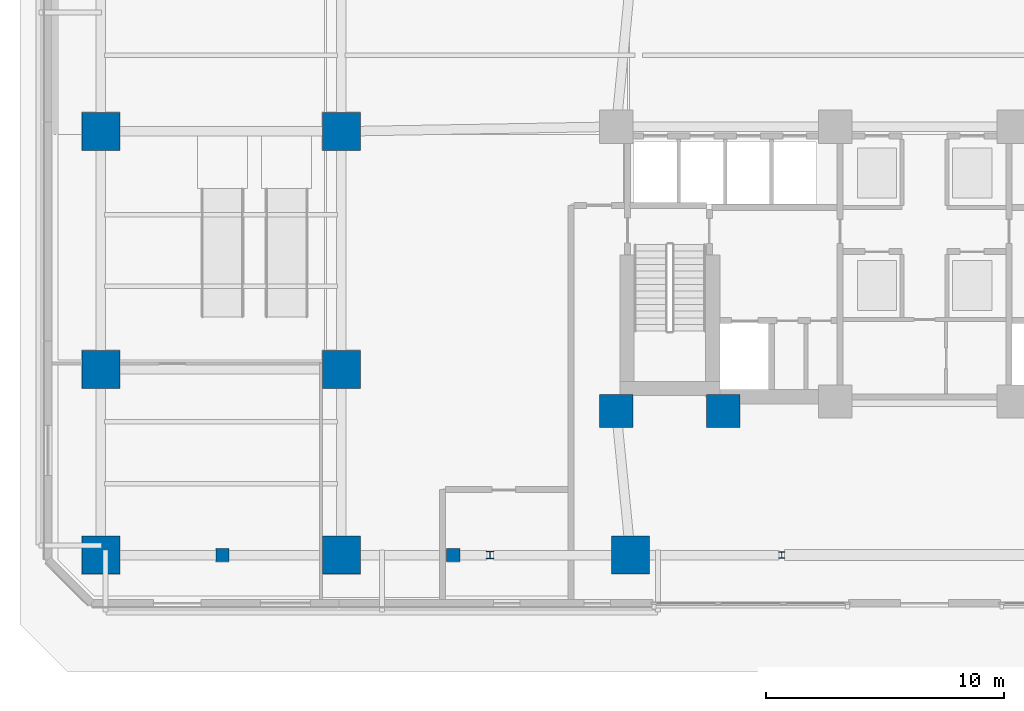
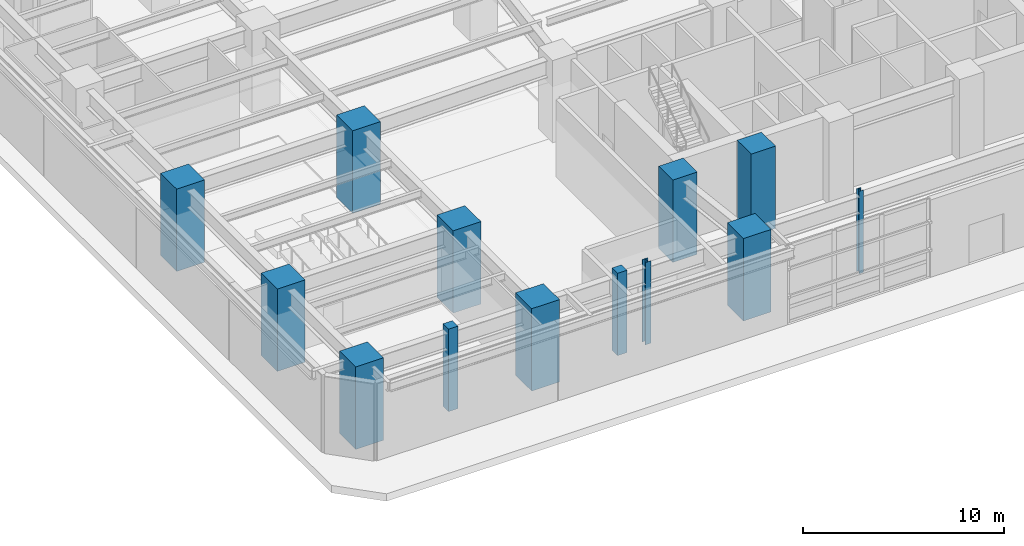
# One storey, part 1 of 26: 13 columns.
"""IFC4 building model written with IfcOpenShell, lengths in metres."""

from ifc_helpers import new_model, si_unit, direction, frame, origin, origin_2d, place, context, subcontext, project, spatial, rectangle, i_section, extrude, material, material_profile, profile_set, type_object, element, save


model = new_model("IFC4")

# Units and contexts
model_context = context("Model", 3, precision=1e-05, world=origin(), true_north=direction((0.0, 1.0)))
body_context = subcontext(model_context, "Body", "Model", "MODEL_VIEW")
ifc_project = project(units=[si_unit("LENGTHUNIT", "METRE"), si_unit("AREAUNIT", "SQUARE_METRE"), si_unit("VOLUMEUNIT", "CUBIC_METRE"), si_unit("PLANEANGLEUNIT", "RADIAN"), si_unit("MASSUNIT", "GRAM", prefix="KILO")], contexts=[model_context])

# Site, building, storey
site_placement = place(None, origin())
site = spatial("IfcSite", under=ifc_project, at=site_placement, CompositionType="ELEMENT")
building_placement = place(site_placement, origin())
building = spatial("IfcBuilding", under=site, at=building_placement, Name="Quenlor Broadcast Tower", CompositionType="ELEMENT")
storey_placement = place(building_placement, origin())
storey = spatial("IfcBuildingStorey", under=building, at=storey_placement, Name="L00", CompositionType="ELEMENT", Elevation=0.0)

# Columns
ifc_material_1 = material(Name="Concrete C65/80", Category="concrete")
ifc_material_profile_1 = material_profile(ifc_material_1, rectangle(XDim=1.39990234375, YDim=1.39990234375, at=origin_2d()))
ifc_profile_set_1 = profile_set([ifc_material_profile_1], Name="Concrete C65/80 RC1400x1400")
column_type_1 = type_object("IfcColumnType", Name="Core Corner Column Lower Concrete C65/80 1400", PredefinedType="COLUMN", material=ifc_profile_set_1)
for number, where, z_axis, x_axis, name in (
    (1, (-12.949951171875, -16.75, 0.0), (0.0, 0.0, 1.0), (1.0, 0.0, 0.0), "L00 Core Column CC1"),
    (2, (-8.449951171875, -16.75, 0.0), (0.0, 0.0, 1.0), (1.0, 0.0, 0.0), "L00 Core Column CC2"),
):
    element("IfcColumn", number, at=place(storey_placement, frame(where, z_axis=z_axis, x_axis=x_axis)), inside=storey, type_object=column_type_1, Name=name, PredefinedType="COLUMN", context=body_context, shape_type="SweptSolid", body=[
        extrude(rectangle(XDim=1.39990234375, YDim=1.39990234375, at=origin_2d()), origin(), (0.0, 0.0, 1.0), 5.0),
    ])
ifc_material_2 = material(Name="Steel S355", Category="steel")
ifc_material_profile_2 = material_profile(ifc_material_2, i_section(OverallWidth=0.256103515625, OverallDepth=0.260009765625, WebThickness=0.010498046875, FlangeThickness=0.017333984375, FilletRadius=0.013916015625, at=origin_2d()))
ifc_profile_set_2 = profile_set([ifc_material_profile_2], Name="Steel S355 250UC89.5")
column_type_2 = type_object("IfcColumnType", Name="Podium Gallery Post Steel S355 250UC89.5", PredefinedType="COLUMN", material=ifc_profile_set_2)
column_1_placement = place(storey_placement, frame((-6.0, -22.800048828125, 0.0), z_axis=(0.0, 0.0, 1.0), x_axis=(1.0, 0.0, 0.0)))
element("IfcColumn", 3, at=column_1_placement, inside=storey, type_object=column_type_2, Name="L00 Station Steel Column SPW2", PredefinedType="COLUMN", context=body_context, shape_type="SweptSolid", body=[
    extrude(i_section(OverallWidth=0.256103515625, OverallDepth=0.260009765625, WebThickness=0.010498046875, FlangeThickness=0.017333984375, FilletRadius=0.013916015625, at=origin_2d()), origin(), (0.0, 0.0, 1.0), 5.0),
])
ifc_material_3 = material(Name="Concrete C65/80", Category="concrete")
ifc_material_profile_3 = material_profile(ifc_material_3, rectangle(XDim=1.60009765625, YDim=1.60009765625, at=origin_2d()))
ifc_profile_set_3 = profile_set([ifc_material_profile_3], Name="Concrete C65/80 RC1600x1600")
column_type_3 = type_object("IfcColumnType", Name="Podium Mega Column Concrete C65/80 1600", PredefinedType="COLUMN", material=ifc_profile_set_3)
for number, where, z_axis, x_axis, name in (
    (4, (-34.60009765625, -22.800048828125, 0.0), (0.0, 0.0, 1.0), (1.0, 0.0, 0.0), "L00 Podium Mega Column PM1"),
    (5, (-24.5, -22.800048828125, 0.0), (0.0, 0.0, 1.0), (1.0, 0.0, 0.0), "L00 Podium Mega Column PM2"),
    (6, (-12.35009765625, -22.800048828125, 0.0), (0.0, 0.0, 1.0), (1.0, 0.0, 0.0), "L00 Podium Mega Column PM3"),
    (7, (-34.60009765625, -15.0, 0.0), (0.0, 0.0, 1.0), (1.0, 0.0, 0.0), "L00 Podium Mega Column PM7"),
    (8, (-24.5, -15.0, 0.0), (0.0, 0.0, 1.0), (1.0, 0.0, 0.0), "L00 Podium Mega Column PM8"),
    (9, (-34.60009765625, -5.0, 0.0), (0.0, 0.0, 1.0), (1.0, 0.0, 0.0), "L00 Podium Mega Column PM11"),
    (10, (-24.5, -5.0, 0.0), (0.0, 0.0, 1.0), (1.0, 0.0, 0.0), "L00 Podium Mega Column PM12"),
):
    element("IfcColumn", number, at=place(storey_placement, frame(where, z_axis=z_axis, x_axis=x_axis)), inside=storey, type_object=column_type_3, Name=name, PredefinedType="COLUMN", context=body_context, shape_type="SweptSolid", body=[
        extrude(rectangle(XDim=1.60009765625, YDim=1.60009765625, at=origin_2d()), origin(), (0.0, 0.0, 1.0), 5.0),
    ])
ifc_material_4 = material(Name="Steel S355", Category="steel")
ifc_material_profile_4 = material_profile(ifc_material_4, i_section(OverallWidth=0.31103515625, OverallDepth=0.3271484375, WebThickness=0.015625, FlangeThickness=0.02490234375, FilletRadius=0.0166015625, at=origin_2d()))
ifc_profile_set_4 = profile_set([ifc_material_profile_4], Name="Steel S355 310UC158")
column_type_4 = type_object("IfcColumnType", Name="Podium Trim Post Steel S355 310UC158", PredefinedType="COLUMN", material=ifc_profile_set_4)
column_2_placement = place(storey_placement, frame((-18.25, -22.800048828125, 0.0), z_axis=(0.0, 0.0, 1.0), x_axis=(1.0, 0.0, 0.0)))
element("IfcColumn", 11, at=column_2_placement, inside=storey, type_object=column_type_4, Name="L00 Station Steel Column SPW1", PredefinedType="COLUMN", context=body_context, shape_type="SweptSolid", body=[
    extrude(i_section(OverallWidth=0.31103515625, OverallDepth=0.3271484375, WebThickness=0.015625, FlangeThickness=0.02490234375, FilletRadius=0.0166015625, at=origin_2d()), origin(), (0.0, 0.0, 1.0), 5.0),
])
ifc_material_5 = material(Name="Concrete C50/60", Category="concrete")
ifc_material_profile_5 = material_profile(ifc_material_5, rectangle(XDim=0.550048828125, YDim=0.550048828125, at=origin_2d()))
ifc_profile_set_5 = profile_set([ifc_material_profile_5], Name="Concrete C50/60 PIL550x550")
column_type_5 = type_object("IfcColumnType", Name="Station Colonnade Pilaster Concrete C50/60 550", PredefinedType="PILASTER", material=ifc_profile_set_5)
for number, where, z_axis, x_axis, name in (
    (12, (-29.5, -22.800048828125, 0.0), (0.0, 0.0, 1.0), (1.0, 0.0, 0.0), "L00 Colonnade Pilaster S1"),
    (13, (-19.800048828125, -22.800048828125, 0.0), (0.0, 0.0, 1.0), (1.0, 0.0, 0.0), "L00 Colonnade Pilaster S2"),
):
    element("IfcColumn", number, at=place(storey_placement, frame(where, z_axis=z_axis, x_axis=x_axis)), inside=storey, type_object=column_type_5, Name=name, PredefinedType="PILASTER", context=body_context, shape_type="SweptSolid", body=[
        extrude(rectangle(XDim=0.550048828125, YDim=0.550048828125, at=origin_2d()), origin(), (0.0, 0.0, 1.0), 5.0),
    ])

save(model, "model.ifc")
